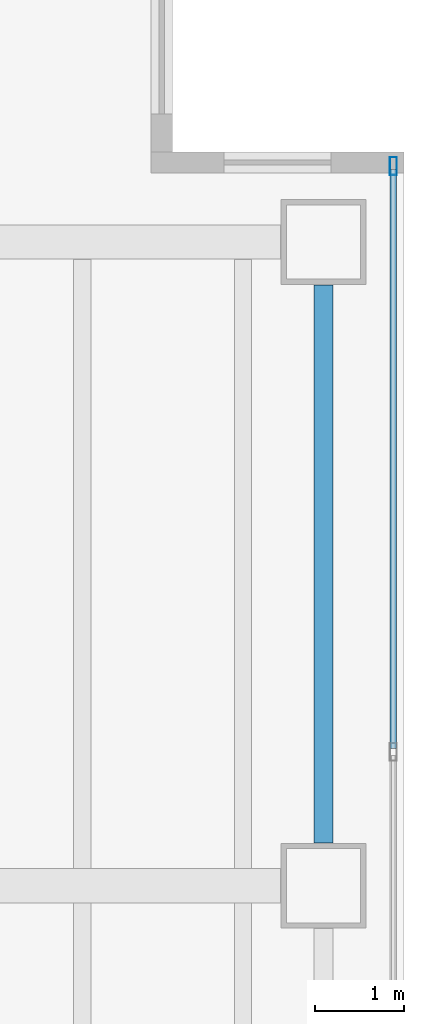
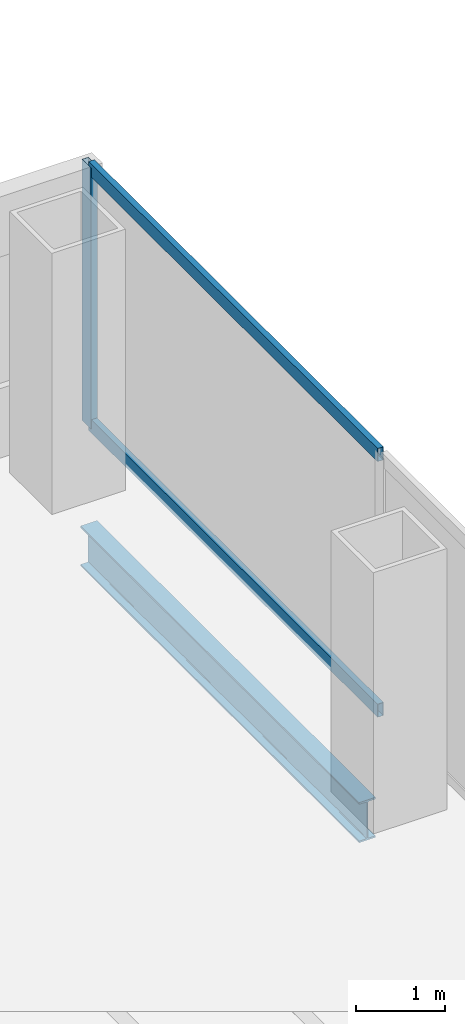
# One storey, part 13 of 23: 3 members, 1 beam, 1 element without a shape of its own.
"""IFC4 building model written with IfcOpenShell, lengths in metres."""

from ifc_helpers import new_model, si_unit, direction, frame, origin, origin_2d, place, context, subcontext, project, spatial, hollow_rectangle, i_section, extrude, material, material_profile, profile_set, type_object, element, aggregate, save


model = new_model("IFC4")

# Units and contexts
model_context = context("Model", 3, precision=1e-05, world=origin(), true_north=direction((0.0, 1.0)))
body_context = subcontext(model_context, "Body", "Model", "MODEL_VIEW")
ifc_project = project(units=[si_unit("LENGTHUNIT", "METRE"), si_unit("AREAUNIT", "SQUARE_METRE"), si_unit("VOLUMEUNIT", "CUBIC_METRE"), si_unit("PLANEANGLEUNIT", "RADIAN"), si_unit("MASSUNIT", "GRAM", prefix="KILO")], contexts=[model_context])

# Site, building, storey
site_placement = place(None, origin())
site = spatial("IfcSite", under=ifc_project, at=site_placement, CompositionType="ELEMENT")
building_placement = place(site_placement, origin())
building = spatial("IfcBuilding", under=site, at=building_placement, Name="Cobrela Telecom Tower", CompositionType="ELEMENT")
storey_placement = place(building_placement, frame((0.0, 0.0, 88.89990234375)))
storey = spatial("IfcBuildingStorey", under=building, at=storey_placement, Name="L22", CompositionType="ELEMENT", Elevation=88.89990234375)

# Beam
ifc_material_1 = material(Name="Steel ASTM A992 Grade 50", Category="steel")
ifc_material_profile_1 = material_profile(ifc_material_1, i_section(OverallWidth=0.212890625, OverallDepth=0.549072265625, WebThickness=0.0146484375, FlangeThickness=0.023681640625, FilletRadius=0.013916015625, at=origin_2d()), Name="W21X93")
ifc_profile_set_1 = profile_set([ifc_material_profile_1], Name="Steel ASTM A992 Grade 50")
beam_type = type_object("IfcBeamType", Name="BM-SPAND-03", PredefinedType="SPANDREL", material=ifc_profile_set_1)
beam_placement = place(storey_placement, frame((49.5, 14.8798828125, -0.554443359375), z_axis=(0.0, 1.0, 0.0), x_axis=(-1.0, 0.0, 0.0)))
element("IfcBeam", 1, at=beam_placement, inside=storey, type_object=beam_type, Name="L22 Perimeter Spandrel Y57", PredefinedType="SPANDREL", context=body_context, shape_type="SweptSolid", body=[
    extrude(i_section(OverallWidth=0.212890625, OverallDepth=0.549072265625, WebThickness=0.0146484375, FlangeThickness=0.023681640625, FilletRadius=0.013916015625, at=origin_2d()), origin(), (0.0, 0.0, 1.0), 6.240234375),
])

# Curtain wall, members
ifc_material_2 = material(Name="Anodized Bronze Aluminium 6063-T6", Category="aluminium")
curtain_wall_type = type_object("IfcCurtainWallType", Name="CW-SYS-DATA", PredefinedType="USERDEFINED", material=ifc_material_2)
curtain_wall_placement = place(storey_placement, origin())
curtain_wall = element("IfcCurtainWall", 2, at=curtain_wall_placement, inside=storey, type_object=curtain_wall_type, Name="L22 Unitised Bronze Curtain Wall 14", ObjectType="UNITISED CURTAIN WALL", PredefinedType="USERDEFINED")
ifc_material_profile_2 = material_profile(ifc_material_2, hollow_rectangle(XDim=0.080078125, YDim=0.199951171875, WallThickness=0.00390625, at=origin_2d()), Name="ALU 80x200x4")
ifc_profile_set_2 = profile_set([ifc_material_profile_2], Name="Anodized Bronze Aluminium 6063-T6")
member_type_1 = type_object("IfcMemberType", Name="CW-SYS-DATA-MUL", PredefinedType="MULLION", material=ifc_profile_set_2)
member_1_placement = place(storey_placement, frame((50.280029296875, 22.449951171875, 0.0), z_axis=(0.0, 0.0, 1.0), x_axis=(1.0, 0.0, 0.0)))
member_1 = element("IfcMember", 3, at=member_1_placement, type_object=member_type_1, Name="CW-DATA mullion 1", PredefinedType="MULLION", context=body_context, shape_type="SweptSolid", body=[
    extrude(hollow_rectangle(XDim=0.080078125, YDim=0.199951171875, WallThickness=0.00390625, at=origin_2d()), origin(), (0.0, 0.0, 1.0), 3.570068359375),
])
ifc_material_profile_3 = material_profile(ifc_material_2, hollow_rectangle(XDim=0.074951171875, YDim=0.179931640625, WallThickness=0.00390625, at=origin_2d()), Name="ALU 75x180x4")
ifc_profile_set_3 = profile_set([ifc_material_profile_3], Name="Anodized Bronze Aluminium 6063-T6")
member_type_2 = type_object("IfcMemberType", Name="CW-SYS-DATA-TRN", PredefinedType="USERDEFINED", material=ifc_profile_set_3)
member_2_placement = place(storey_placement, frame((50.280029296875, 22.409912109375, 0.03759765625), z_axis=(0.0, -1.0, 0.0), x_axis=(1.0, 0.0, 0.0)))
member_2 = element("IfcMember", 4, at=member_2_placement, type_object=member_type_2, Name="CW-DATA transom 1.1", ObjectType="TRANSOM", PredefinedType="USERDEFINED", context=body_context, shape_type="SweptSolid", body=[
    extrude(hollow_rectangle(XDim=0.074951171875, YDim=0.179931640625, WallThickness=0.00390625, at=origin_2d()), origin(), (0.0, 0.0, 1.0), 6.47314453125),
])
member_3_placement = place(storey_placement, frame((50.280029296875, 22.409912109375, 3.53271484375), z_axis=(0.0, -1.0, 0.0), x_axis=(1.0, 0.0, 0.0)))
member_3 = element("IfcMember", 5, at=member_3_placement, type_object=member_type_2, Name="CW-DATA transom 1.2", ObjectType="TRANSOM", PredefinedType="USERDEFINED", context=body_context, shape_type="SweptSolid", body=[
    extrude(hollow_rectangle(XDim=0.074951171875, YDim=0.179931640625, WallThickness=0.00390625, at=origin_2d()), origin(), (0.0, 0.0, 1.0), 6.47314453125),
])
aggregate(curtain_wall, [member_1, member_2, member_3])

save(model, "model.ifc")
